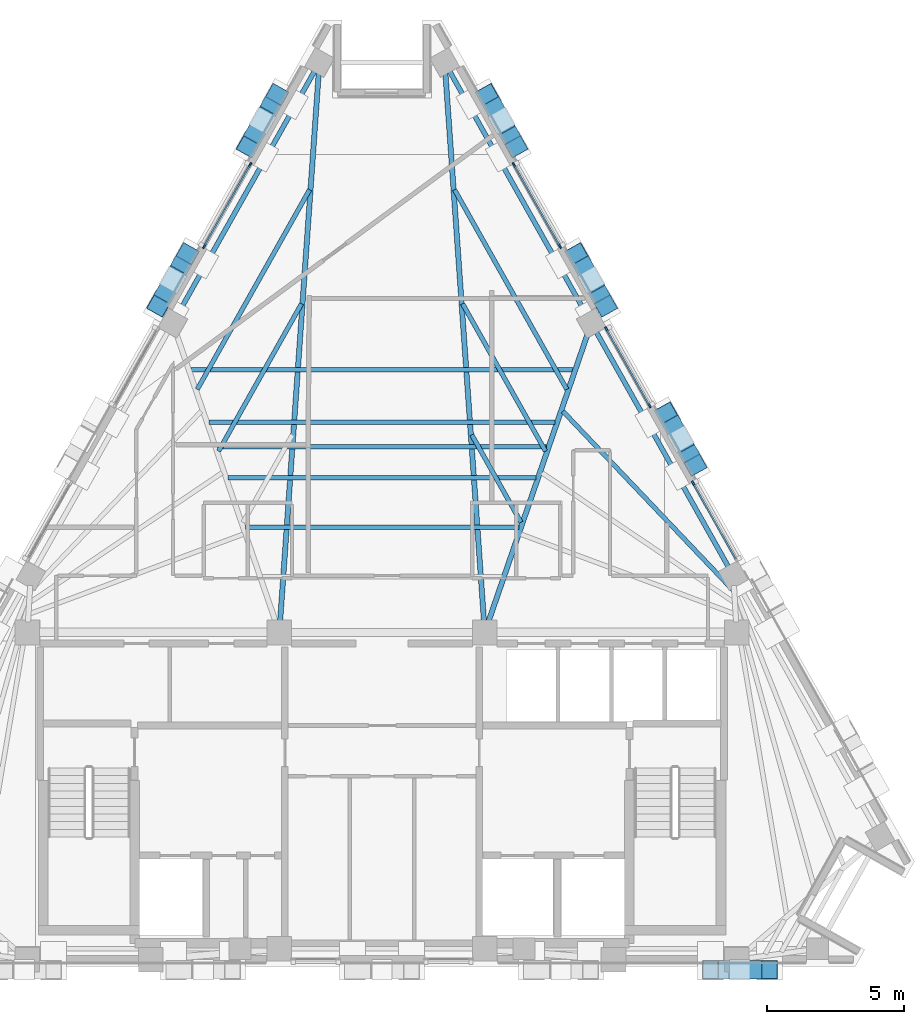
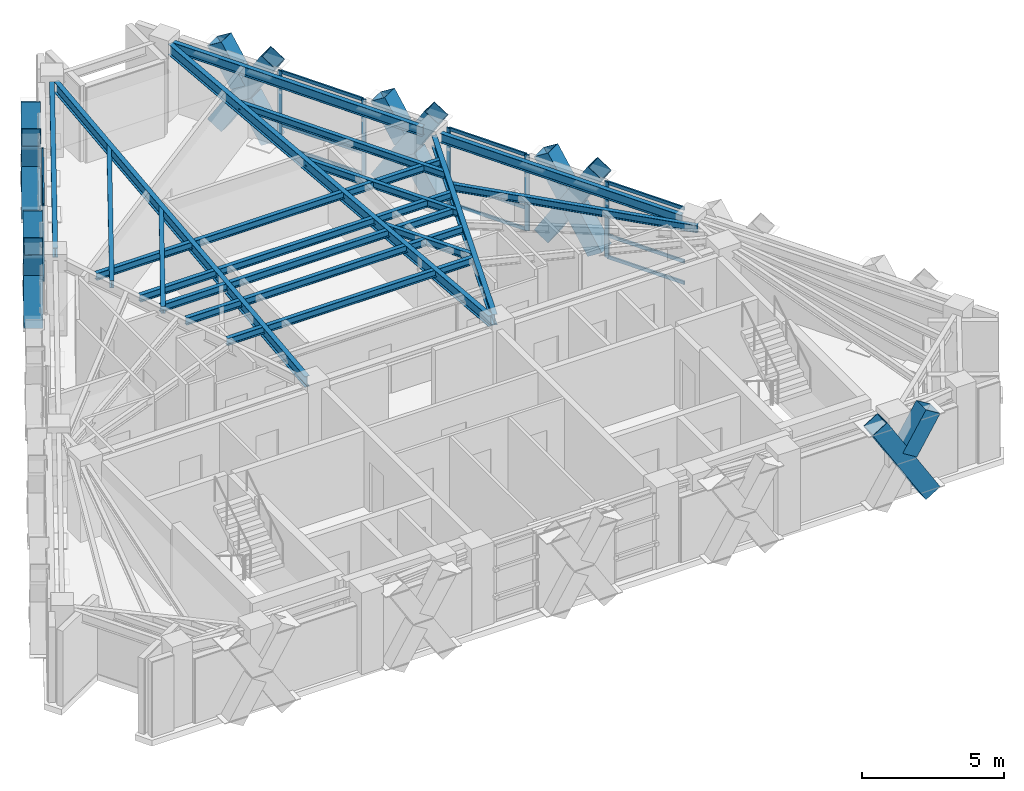
# One storey, part 4 of 11: 36 members, 17 beams, 4 elements without a shape of their own.
"""IFC4 building model written with IfcOpenShell, lengths in metres."""

from ifc_helpers import new_model, si_unit, direction, frame, origin, origin_2d, place, context, subcontext, project, spatial, rectangle, hollow_rectangle, i_section, extrude, material, material_profile, profile_set, type_object, element, aggregate, save


model = new_model("IFC4")

# Units and contexts
model_context = context("Model", 3, precision=1e-05, world=origin(), true_north=direction((0.0, 1.0)))
body_context = subcontext(model_context, "Body", "Model", "MODEL_VIEW")
ifc_project = project(units=[si_unit("LENGTHUNIT", "METRE"), si_unit("AREAUNIT", "SQUARE_METRE"), si_unit("VOLUMEUNIT", "CUBIC_METRE"), si_unit("PLANEANGLEUNIT", "RADIAN"), si_unit("MASSUNIT", "GRAM", prefix="KILO")], contexts=[model_context])

# Site, building, storey
site_placement = place(None, origin())
site = spatial("IfcSite", under=ifc_project, at=site_placement, CompositionType="ELEMENT")
building_placement = place(site_placement, origin())
building = spatial("IfcBuilding", under=site, at=building_placement, Name="Quenlor Broadcast Tower", CompositionType="ELEMENT")
storey_placement = place(building_placement, frame((0.0, 0.0, 242.89990234375)))
storey = spatial("IfcBuildingStorey", under=building, at=storey_placement, Name="L67", CompositionType="ELEMENT", Elevation=242.89990234375)

# Curtain wall, members
ifc_material_1 = material(Name="Architectural Terracotta and Low-E Glazing", Category="masonry")
curtain_wall_type = type_object("IfcCurtainWallType", Name="Unitised Terracotta Curtain Wall System Z5", PredefinedType="NOTDEFINED", material=ifc_material_1)
curtain_wall_1_placement = place(storey_placement, origin())
curtain_wall_1 = element("IfcCurtainWall", 1, at=curtain_wall_1_placement, inside=storey, type_object=curtain_wall_type, Name="L67 Curtain Wall CW5 (L67-NEA-G1)", PredefinedType="NOTDEFINED")
ifc_material_2 = material(Name="Aluminium 6063-T6", Category="aluminium")
ifc_material_profile_1 = material_profile(ifc_material_2, rectangle(XDim=0.06494140625, YDim=0.169921875, at=origin_2d()))
ifc_profile_set_1 = profile_set([ifc_material_profile_1], Name="Aluminium 6063-T6 MULL65x170")
member_type_1 = type_object("IfcMemberType", Name="CW5 Aluminium Mullion MULL_CW5", PredefinedType="MULLION", material=ifc_profile_set_1)
member_1_placement = place(storey_placement, frame((4.81787109375, 12.274169921875, 0.0), z_axis=(0.0, 0.0, 1.0), x_axis=(0.871581670563, 0.490250335582, 0.0)))
member_1 = element("IfcMember", 2, at=member_1_placement, type_object=member_type_1, Name="CW5 mullion 1", PredefinedType="MULLION", context=body_context, shape_type="SweptSolid", body=[
    extrude(rectangle(XDim=0.06494140625, YDim=0.169921875, at=origin_2d()), origin(), (0.0, 0.0, 1.0), 3.25),
])
member_2_placement = place(storey_placement, frame((6.49365234375, 9.294677734375, 0.0), z_axis=(0.0, 0.0, 1.0), x_axis=(0.871581670563, 0.490250335582, 0.0)))
member_2 = element("IfcMember", 3, at=member_2_placement, type_object=member_type_1, Name="CW5 mullion 2", PredefinedType="MULLION", context=body_context, shape_type="SweptSolid", body=[
    extrude(rectangle(XDim=0.06494140625, YDim=0.169921875, at=origin_2d()), origin(), (0.0, 0.0, 1.0), 3.25),
])

curtain_wall_2_placement = place(storey_placement, origin())
curtain_wall_2 = element("IfcCurtainWall", 4, at=curtain_wall_2_placement, inside=storey, type_object=curtain_wall_type, Name="L67 Curtain Wall CW5 (L67-NE-G1)", PredefinedType="NOTDEFINED")
member_3_placement = place(storey_placement, frame((8.190185546875, 6.27880859375, 0.0), z_axis=(0.0, 0.0, 1.0), x_axis=(0.871574721405, 0.490262689797, 0.0)))
member_3 = element("IfcMember", 5, at=member_3_placement, type_object=member_type_1, Name="CW5 mullion 1", PredefinedType="MULLION", context=body_context, shape_type="SweptSolid", body=[
    extrude(rectangle(XDim=0.06494140625, YDim=0.169921875, at=origin_2d()), origin(), (0.0, 0.0, 1.0), 3.25),
])
member_4_placement = place(storey_placement, frame((9.763427734375, 3.48193359375, 0.0), z_axis=(0.0, 0.0, 1.0), x_axis=(0.871574721405, 0.490262689797, 0.0)))
member_4 = element("IfcMember", 6, at=member_4_placement, type_object=member_type_1, Name="CW5 mullion 2", PredefinedType="MULLION", context=body_context, shape_type="SweptSolid", body=[
    extrude(rectangle(XDim=0.06494140625, YDim=0.169921875, at=origin_2d()), origin(), (0.0, 0.0, 1.0), 3.25),
])

# Curtain wall, member
curtain_wall_3_placement = place(storey_placement, origin())
curtain_wall_3 = element("IfcCurtainWall", 7, at=curtain_wall_3_placement, inside=storey, type_object=curtain_wall_type, Name="L67 Curtain Wall CW5 (L67-NE-G2)", PredefinedType="NOTDEFINED")
member_5_placement = place(storey_placement, frame((11.357177734375, 0.6484375, 0.0), z_axis=(0.0, 0.0, 1.0), x_axis=(0.871574721405, 0.490262689797, 0.0)))
member_5 = element("IfcMember", 8, at=member_5_placement, type_object=member_type_1, Name="CW5 mullion 1", PredefinedType="MULLION", context=body_context, shape_type="SweptSolid", body=[
    extrude(rectangle(XDim=0.06494140625, YDim=0.169921875, at=origin_2d()), origin(), (0.0, 0.0, 1.0), 3.25),
])

# Curtain wall, members
curtain_wall_4_placement = place(storey_placement, origin())
curtain_wall_4 = element("IfcCurtainWall", 9, at=curtain_wall_4_placement, inside=storey, type_object=curtain_wall_type, Name="L67 Curtain Wall CW5 (L67-NWC-G1)", PredefinedType="NOTDEFINED")
member_6_placement = place(storey_placement, frame((-6.49365234375, 9.294677734375, 0.0), z_axis=(0.0, 0.0, 1.0), x_axis=(-0.871581670563, 0.490250335582, 0.0)))
member_6 = element("IfcMember", 10, at=member_6_placement, type_object=member_type_1, Name="CW5 mullion 1", PredefinedType="MULLION", context=body_context, shape_type="SweptSolid", body=[
    extrude(rectangle(XDim=0.06494140625, YDim=0.169921875, at=origin_2d()), origin(), (0.0, 0.0, 1.0), 3.25),
])
member_7_placement = place(storey_placement, frame((-4.81787109375, 12.274169921875, 0.0), z_axis=(0.0, 0.0, 1.0), x_axis=(-0.871581670563, 0.490250335582, 0.0)))
member_7 = element("IfcMember", 11, at=member_7_placement, type_object=member_type_1, Name="CW5 mullion 2", PredefinedType="MULLION", context=body_context, shape_type="SweptSolid", body=[
    extrude(rectangle(XDim=0.06494140625, YDim=0.169921875, at=origin_2d()), origin(), (0.0, 0.0, 1.0), 3.25),
])

# Member
ifc_material_3 = material(Name="Aluminium 6063-T6", Category="aluminium")
ifc_material_profile_2 = material_profile(ifc_material_3, rectangle(XDim=0.06494140625, YDim=0.139892578125, at=origin_2d()))
ifc_profile_set_2 = profile_set([ifc_material_profile_2], Name="Aluminium 6063-T6 TRAN65x140")
member_type_2 = type_object("IfcMemberType", Name="CW5 Aluminium Transom TRAN_CW5", PredefinedType="USERDEFINED", material=ifc_profile_set_2)
member_8_placement = place(storey_placement, frame((4.833740234375, 12.245849609375, 0.03271484375), z_axis=(0.490247413707, -0.871583314063, 0.0), x_axis=(0.871583314063, 0.490247413707, 0.0)))
member_8 = element("IfcMember", 12, at=member_8_placement, type_object=member_type_2, Name="CW5 transom 1.1", ObjectType="TRANSOM", PredefinedType="USERDEFINED", context=body_context, shape_type="SweptSolid", body=[
    extrude(rectangle(XDim=0.06494140625, YDim=0.139892578125, at=origin_2d()), origin(), (0.0, 0.0, 1.0), 3.353515625),
])

member_9_placement = place(storey_placement, frame((4.833740234375, 12.245849609375, 0.9501953125), z_axis=(0.490247413707, -0.871583314063, 0.0), x_axis=(0.871583314063, 0.490247413707, 0.0)))
member_9 = element("IfcMember", 13, at=member_9_placement, type_object=member_type_2, Name="CW5 transom 1.2", ObjectType="TRANSOM", PredefinedType="USERDEFINED", context=body_context, shape_type="SweptSolid", body=[
    extrude(rectangle(XDim=0.06494140625, YDim=0.139892578125, at=origin_2d()), origin(), (0.0, 0.0, 1.0), 3.353515625),
])

member_10_placement = place(storey_placement, frame((4.833740234375, 12.245849609375, 3.217529296875), z_axis=(0.490247413707, -0.871583314063, 0.0), x_axis=(0.871583314063, 0.490247413707, 0.0)))
member_10 = element("IfcMember", 14, at=member_10_placement, type_object=member_type_2, Name="CW5 transom 1.3", ObjectType="TRANSOM", PredefinedType="USERDEFINED", context=body_context, shape_type="SweptSolid", body=[
    extrude(rectangle(XDim=0.06494140625, YDim=0.139892578125, at=origin_2d()), origin(), (0.0, 0.0, 1.0), 3.353515625),
])

aggregate(curtain_wall_1, [member_1, member_2, member_8, member_9, member_10])

member_11_placement = place(storey_placement, frame((8.2060546875, 6.25048828125, 0.03271484375), z_axis=(0.490231744535, -0.87159212746, 0.0), x_axis=(0.87159212746, 0.490231744535, 0.0)))
member_11 = element("IfcMember", 15, at=member_11_placement, type_object=member_type_2, Name="CW5 transom 1.1", ObjectType="TRANSOM", PredefinedType="USERDEFINED", context=body_context, shape_type="SweptSolid", body=[
    extrude(rectangle(XDim=0.06494140625, YDim=0.139892578125, at=origin_2d()), origin(), (0.0, 0.0, 1.0), 3.14404296875),
])

member_12_placement = place(storey_placement, frame((8.2060546875, 6.25048828125, 0.9501953125), z_axis=(0.490231744535, -0.87159212746, 0.0), x_axis=(0.87159212746, 0.490231744535, 0.0)))
member_12 = element("IfcMember", 16, at=member_12_placement, type_object=member_type_2, Name="CW5 transom 1.2", ObjectType="TRANSOM", PredefinedType="USERDEFINED", context=body_context, shape_type="SweptSolid", body=[
    extrude(rectangle(XDim=0.06494140625, YDim=0.139892578125, at=origin_2d()), origin(), (0.0, 0.0, 1.0), 3.14404296875),
])

member_13_placement = place(storey_placement, frame((8.2060546875, 6.25048828125, 3.217529296875), z_axis=(0.490231744535, -0.87159212746, 0.0), x_axis=(0.87159212746, 0.490231744535, 0.0)))
member_13 = element("IfcMember", 17, at=member_13_placement, type_object=member_type_2, Name="CW5 transom 1.3", ObjectType="TRANSOM", PredefinedType="USERDEFINED", context=body_context, shape_type="SweptSolid", body=[
    extrude(rectangle(XDim=0.06494140625, YDim=0.139892578125, at=origin_2d()), origin(), (0.0, 0.0, 1.0), 3.14404296875),
])

aggregate(curtain_wall_2, [member_3, member_4, member_11, member_12, member_13])

member_14_placement = place(storey_placement, frame((11.373046875, 0.6201171875, 0.03271484375), z_axis=(0.490290733046, -0.871558946422, 0.0), x_axis=(0.871558946422, 0.490290733046, 0.0)))
member_14 = element("IfcMember", 18, at=member_14_placement, type_object=member_type_2, Name="CW5 transom 1.1", ObjectType="TRANSOM", PredefinedType="USERDEFINED", context=body_context, shape_type="SweptSolid", body=[
    extrude(rectangle(XDim=0.06494140625, YDim=0.139892578125, at=origin_2d()), origin(), (0.0, 0.0, 1.0), 3.14404296875),
])

member_15_placement = place(storey_placement, frame((11.373046875, 0.6201171875, 0.9501953125), z_axis=(0.490290733046, -0.871558946422, 0.0), x_axis=(0.871558946422, 0.490290733046, 0.0)))
member_15 = element("IfcMember", 19, at=member_15_placement, type_object=member_type_2, Name="CW5 transom 1.2", ObjectType="TRANSOM", PredefinedType="USERDEFINED", context=body_context, shape_type="SweptSolid", body=[
    extrude(rectangle(XDim=0.06494140625, YDim=0.139892578125, at=origin_2d()), origin(), (0.0, 0.0, 1.0), 3.14404296875),
])

member_16_placement = place(storey_placement, frame((11.373046875, 0.6201171875, 3.217529296875), z_axis=(0.490290733046, -0.871558946422, 0.0), x_axis=(0.871558946422, 0.490290733046, 0.0)))
member_16 = element("IfcMember", 20, at=member_16_placement, type_object=member_type_2, Name="CW5 transom 1.3", ObjectType="TRANSOM", PredefinedType="USERDEFINED", context=body_context, shape_type="SweptSolid", body=[
    extrude(rectangle(XDim=0.06494140625, YDim=0.139892578125, at=origin_2d()), origin(), (0.0, 0.0, 1.0), 3.14404296875),
])

aggregate(curtain_wall_3, [member_5, member_14, member_15, member_16])

member_17_placement = place(storey_placement, frame((-6.477783203125, 9.322998046875, 0.03271484375), z_axis=(0.490247413707, 0.871583314063, 0.0), x_axis=(-0.871583314063, 0.490247413707, 0.0)))
member_17 = element("IfcMember", 21, at=member_17_placement, type_object=member_type_2, Name="CW5 transom 1.1", ObjectType="TRANSOM", PredefinedType="USERDEFINED", context=body_context, shape_type="SweptSolid", body=[
    extrude(rectangle(XDim=0.06494140625, YDim=0.139892578125, at=origin_2d()), origin(), (0.0, 0.0, 1.0), 3.353515625),
])

member_18_placement = place(storey_placement, frame((-6.477783203125, 9.322998046875, 0.9501953125), z_axis=(0.490247413707, 0.871583314063, 0.0), x_axis=(-0.871583314063, 0.490247413707, 0.0)))
member_18 = element("IfcMember", 22, at=member_18_placement, type_object=member_type_2, Name="CW5 transom 1.2", ObjectType="TRANSOM", PredefinedType="USERDEFINED", context=body_context, shape_type="SweptSolid", body=[
    extrude(rectangle(XDim=0.06494140625, YDim=0.139892578125, at=origin_2d()), origin(), (0.0, 0.0, 1.0), 3.353515625),
])

member_19_placement = place(storey_placement, frame((-6.477783203125, 9.322998046875, 3.217529296875), z_axis=(0.490247413707, 0.871583314063, 0.0), x_axis=(-0.871583314063, 0.490247413707, 0.0)))
member_19 = element("IfcMember", 23, at=member_19_placement, type_object=member_type_2, Name="CW5 transom 1.3", ObjectType="TRANSOM", PredefinedType="USERDEFINED", context=body_context, shape_type="SweptSolid", body=[
    extrude(rectangle(XDim=0.06494140625, YDim=0.139892578125, at=origin_2d()), origin(), (0.0, 0.0, 1.0), 3.353515625),
])

aggregate(curtain_wall_4, [member_6, member_7, member_17, member_18, member_19])

# Members
ifc_material_4 = material(Name="Steel S355", Category="steel")
ifc_material_profile_3 = material_profile(ifc_material_4, hollow_rectangle(XDim=0.679931640625, YDim=0.679931640625, WallThickness=0.02001953125, at=origin_2d()))
ifc_profile_set_3 = profile_set([ifc_material_profile_3], Name="Steel S355 RHS680x680x20")
member_type_3 = type_object("IfcMemberType", Name="Perimeter Diagonal Lattice Brace Z5-Crown Steel S355 RHS680x20", PredefinedType="BRACE", material=ifc_profile_set_3)
member_20_placement = place(storey_placement, frame((14.1396484375, -17.1201171875, -0.119873046875), z_axis=(-0.5236596973, 0.0, 0.851927532965), x_axis=(0.0, -1.0, 0.0)))
element("IfcMember", 24, at=member_20_placement, inside=storey, type_object=member_type_3, Name="L67 Perimeter Diamond Lattice S-C1XA", PredefinedType="BRACE", context=body_context, shape_type="SweptSolid", body=[
    extrude(hollow_rectangle(XDim=0.679931640625, YDim=0.679931640625, WallThickness=0.02001953125, at=origin_2d()), origin(), (0.0, 0.0, 1.0), 4.1083984375),
])
member_21_placement = place(storey_placement, frame((13.19482421875, -17.1201171875, 1.843017578125), z_axis=(0.523659478087, 0.0, 0.85192766771), x_axis=(0.0, 1.0, 0.0)))
element("IfcMember", 25, at=member_21_placement, inside=storey, type_object=member_type_3, Name="L67 Perimeter Diamond Lattice S-C1XB2", PredefinedType="BRACE", context=body_context, shape_type="SweptSolid", body=[
    extrude(hollow_rectangle(XDim=0.679931640625, YDim=0.679931640625, WallThickness=0.02001953125, at=origin_2d()), origin(), (0.0, 0.0, 1.0), 1.80419921875),
])
member_22_placement = place(storey_placement, frame((3.826904296875, 14.841552734375, -0.119873046875), z_axis=(0.260563732169, -0.463283497491, 0.847038926161), x_axis=(0.871602253711, 0.49021374045, 0.0)))
element("IfcMember", 26, at=member_22_placement, inside=storey, type_object=member_type_3, Name="L67 Perimeter Diamond Lattice NE-C1XA", PredefinedType="BRACE", context=body_context, shape_type="SweptSolid", body=[
    extrude(hollow_rectangle(XDim=0.679931640625, YDim=0.679931640625, WallThickness=0.02001953125, at=origin_2d()), origin(), (0.0, 0.0, 1.0), 4.132080078125),
])
member_23_placement = place(storey_placement, frame((4.903564453125, 12.92724609375, -0.119873046875), z_axis=(-0.260561174869, 0.463309498762, 0.847025491062), x_axis=(-0.871616063886, -0.490189185087, 0.0)))
element("IfcMember", 27, at=member_23_placement, inside=storey, type_object=member_type_3, Name="L67 Perimeter Diamond Lattice NE-C1XB1", PredefinedType="BRACE", context=body_context, shape_type="SweptSolid", body=[
    extrude(hollow_rectangle(XDim=0.679931640625, YDim=0.679931640625, WallThickness=0.02001953125, at=origin_2d()), origin(), (0.0, 0.0, 1.0), 1.81591796875),
])
member_24_placement = place(storey_placement, frame((4.300048828125, 14.000244140625, 1.841796875), z_axis=(-0.260531504538, 0.463256741299, 0.847063472701), x_axis=(-0.871616063886, -0.490189185087, 0.0)))
element("IfcMember", 28, at=member_24_placement, inside=storey, type_object=member_type_3, Name="L67 Perimeter Diamond Lattice NE-C1XB2", PredefinedType="BRACE", context=body_context, shape_type="SweptSolid", body=[
    extrude(hollow_rectangle(XDim=0.679931640625, YDim=0.679931640625, WallThickness=0.02001953125, at=origin_2d()), origin(), (0.0, 0.0, 1.0), 1.816162109375),
])
member_25_placement = place(storey_placement, frame((7.096435546875, 9.02880859375, -0.119873046875), z_axis=(0.260618804175, -0.463276364439, 0.847025884529), x_axis=(0.8715547569, 0.490298180422, 0.0)))
element("IfcMember", 29, at=member_25_placement, inside=storey, type_object=member_type_3, Name="L67 Perimeter Diamond Lattice NE-C2XA", PredefinedType="BRACE", context=body_context, shape_type="SweptSolid", body=[
    extrude(hollow_rectangle(XDim=0.679931640625, YDim=0.679931640625, WallThickness=0.02001953125, at=origin_2d()), origin(), (0.0, 0.0, 1.0), 4.132080078125),
])
member_26_placement = place(storey_placement, frame((8.17333984375, 7.114501953125, -0.119873046875), z_axis=(-0.26068648878, 0.463293264743, 0.846995811921), x_axis=(-0.871507987664, -0.490381308207, 0.0)))
element("IfcMember", 30, at=member_26_placement, inside=storey, type_object=member_type_3, Name="L67 Perimeter Diamond Lattice NE-C2XB1", PredefinedType="BRACE", context=body_context, shape_type="SweptSolid", body=[
    extrude(hollow_rectangle(XDim=0.679931640625, YDim=0.679931640625, WallThickness=0.02001953125, at=origin_2d()), origin(), (0.0, 0.0, 1.0), 1.81591796875),
])
member_27_placement = place(storey_placement, frame((7.56982421875, 8.1875, 1.841796875), z_axis=(-0.260656806259, 0.463240512825, 0.847033798988), x_axis=(-0.871507987664, -0.490381308207, 0.0)))
element("IfcMember", 31, at=member_27_placement, inside=storey, type_object=member_type_3, Name="L67 Perimeter Diamond Lattice NE-C2XB2", PredefinedType="BRACE", context=body_context, shape_type="SweptSolid", body=[
    extrude(hollow_rectangle(XDim=0.679931640625, YDim=0.679931640625, WallThickness=0.02001953125, at=origin_2d()), origin(), (0.0, 0.0, 1.0), 1.816162109375),
])
member_28_placement = place(storey_placement, frame((10.3662109375, 3.216064453125, -0.119873046875), z_axis=(0.260618804175, -0.463276364439, 0.847025884529), x_axis=(0.8715547569, 0.490298180422, 0.0)))
element("IfcMember", 32, at=member_28_placement, inside=storey, type_object=member_type_3, Name="L67 Perimeter Diamond Lattice NE-C3XA", PredefinedType="BRACE", context=body_context, shape_type="SweptSolid", body=[
    extrude(hollow_rectangle(XDim=0.679931640625, YDim=0.679931640625, WallThickness=0.02001953125, at=origin_2d()), origin(), (0.0, 0.0, 1.0), 4.132080078125),
])
member_29_placement = place(storey_placement, frame((11.443115234375, 1.3017578125, -0.119873046875), z_axis=(-0.26068648878, 0.463293264743, 0.846995811921), x_axis=(-0.871507987664, -0.490381308207, 0.0)))
element("IfcMember", 33, at=member_29_placement, inside=storey, type_object=member_type_3, Name="L67 Perimeter Diamond Lattice NE-C3XB1", PredefinedType="BRACE", context=body_context, shape_type="SweptSolid", body=[
    extrude(hollow_rectangle(XDim=0.679931640625, YDim=0.679931640625, WallThickness=0.02001953125, at=origin_2d()), origin(), (0.0, 0.0, 1.0), 1.81591796875),
])
member_30_placement = place(storey_placement, frame((10.839599609375, 2.374755859375, 1.841796875), z_axis=(-0.260656806259, 0.463240512825, 0.847033798988), x_axis=(-0.871507987664, -0.490381308207, 0.0)))
element("IfcMember", 34, at=member_30_placement, inside=storey, type_object=member_type_3, Name="L67 Perimeter Diamond Lattice NE-C3XB2", PredefinedType="BRACE", context=body_context, shape_type="SweptSolid", body=[
    extrude(hollow_rectangle(XDim=0.679931640625, YDim=0.679931640625, WallThickness=0.02001953125, at=origin_2d()), origin(), (0.0, 0.0, 1.0), 1.816162109375),
])
member_31_placement = place(storey_placement, frame((-8.17333984375, 7.114501953125, -0.119873046875), z_axis=(0.260618804175, 0.463276364439, 0.847025884529), x_axis=(-0.8715547569, 0.490298180422, 0.0)))
element("IfcMember", 35, at=member_31_placement, inside=storey, type_object=member_type_3, Name="L67 Perimeter Diamond Lattice NW-C4XA", PredefinedType="BRACE", context=body_context, shape_type="SweptSolid", body=[
    extrude(hollow_rectangle(XDim=0.679931640625, YDim=0.679931640625, WallThickness=0.02001953125, at=origin_2d()), origin(), (0.0, 0.0, 1.0), 4.132080078125),
])
member_32_placement = place(storey_placement, frame((-7.096435546875, 9.02880859375, -0.119873046875), z_axis=(-0.26068648878, -0.463293264743, 0.846995811921), x_axis=(0.871507987664, -0.490381308207, 0.0)))
element("IfcMember", 36, at=member_32_placement, inside=storey, type_object=member_type_3, Name="L67 Perimeter Diamond Lattice NW-C4XB1", PredefinedType="BRACE", context=body_context, shape_type="SweptSolid", body=[
    extrude(hollow_rectangle(XDim=0.679931640625, YDim=0.679931640625, WallThickness=0.02001953125, at=origin_2d()), origin(), (0.0, 0.0, 1.0), 1.81591796875),
])
member_33_placement = place(storey_placement, frame((-7.699951171875, 7.955810546875, 1.841796875), z_axis=(-0.260656806259, -0.463240512825, 0.847033798988), x_axis=(0.871507987664, -0.490381308207, 0.0)))
element("IfcMember", 37, at=member_33_placement, inside=storey, type_object=member_type_3, Name="L67 Perimeter Diamond Lattice NW-C4XB2", PredefinedType="BRACE", context=body_context, shape_type="SweptSolid", body=[
    extrude(hollow_rectangle(XDim=0.679931640625, YDim=0.679931640625, WallThickness=0.02001953125, at=origin_2d()), origin(), (0.0, 0.0, 1.0), 1.816162109375),
])
member_34_placement = place(storey_placement, frame((-4.903564453125, 12.92724609375, -0.119873046875), z_axis=(0.260563732169, 0.463283497491, 0.847038926161), x_axis=(-0.871602253711, 0.49021374045, 0.0)))
element("IfcMember", 38, at=member_34_placement, inside=storey, type_object=member_type_3, Name="L67 Perimeter Diamond Lattice NW-C5XA", PredefinedType="BRACE", context=body_context, shape_type="SweptSolid", body=[
    extrude(hollow_rectangle(XDim=0.679931640625, YDim=0.679931640625, WallThickness=0.02001953125, at=origin_2d()), origin(), (0.0, 0.0, 1.0), 4.132080078125),
])
member_35_placement = place(storey_placement, frame((-3.826904296875, 14.841552734375, -0.119873046875), z_axis=(-0.260561174869, -0.463309498762, 0.847025491062), x_axis=(0.871616063886, -0.490189185087, 0.0)))
element("IfcMember", 39, at=member_35_placement, inside=storey, type_object=member_type_3, Name="L67 Perimeter Diamond Lattice NW-C5XB1", PredefinedType="BRACE", context=body_context, shape_type="SweptSolid", body=[
    extrude(hollow_rectangle(XDim=0.679931640625, YDim=0.679931640625, WallThickness=0.02001953125, at=origin_2d()), origin(), (0.0, 0.0, 1.0), 1.81591796875),
])
member_36_placement = place(storey_placement, frame((-4.430419921875, 13.7685546875, 1.841796875), z_axis=(-0.260531504538, -0.463256741299, 0.847063472701), x_axis=(0.871616063886, -0.490189185087, 0.0)))
element("IfcMember", 40, at=member_36_placement, inside=storey, type_object=member_type_3, Name="L67 Perimeter Diamond Lattice NW-C5XB2", PredefinedType="BRACE", context=body_context, shape_type="SweptSolid", body=[
    extrude(hollow_rectangle(XDim=0.679931640625, YDim=0.679931640625, WallThickness=0.02001953125, at=origin_2d()), origin(), (0.0, 0.0, 1.0), 1.816162109375),
])

# Beams
ifc_material_5 = material(Name="Steel S355", Category="steel")
ifc_material_profile_4 = material_profile(ifc_material_5, i_section(OverallWidth=0.177978515625, OverallDepth=0.406494140625, WebThickness=0.0078125, FlangeThickness=0.0126953125, FilletRadius=0.011474609375, at=origin_2d()))
ifc_profile_set_4 = profile_set([ifc_material_profile_4], Name="Steel S355 410UB59.7")
beam_type_1 = type_object("IfcBeamType", Name="Perimeter Spandrel Beam Z5 Steel S355 410UB59.7", PredefinedType="SPANDREL", material=ifc_profile_set_4)
beam_1_placement = place(storey_placement, frame((12.64892578125, -2.412841796875, 3.046875), z_axis=(-0.49024947634, 0.871582153872, 0.0), x_axis=(-0.871582153872, -0.49024947634, 0.0)))
element("IfcBeam", 41, at=beam_1_placement, inside=storey, type_object=beam_type_1, Name="L67 Spandrel Beam NE2-NE3", PredefinedType="SPANDREL", context=body_context, shape_type="SweptSolid", body=[
    extrude(i_section(OverallWidth=0.177978515625, OverallDepth=0.406494140625, WebThickness=0.0078125, FlangeThickness=0.0126953125, FilletRadius=0.011474609375, at=origin_2d()), origin(), (0.0, 0.0, 1.0), 9.853759765625),
])
for number, where, z_axis, x_axis, name in (
    (42, (7.465087890625, 6.802978515625, 3.046875), (-0.490264646634, 0.871573620677, 0.0), (-0.871573620677, -0.490264646634, 0.0), "L67 Spandrel Beam NE3-NE4"),
    (43, (-2.461181640625, 15.69873046875, 3.046875), (-0.490264646634, -0.871573620677, 0.0), (0.871573620677, -0.490264646634, 0.0), "L67 Spandrel Beam NW1-NW2"),
):
    element("IfcBeam", number, at=place(storey_placement, frame(where, z_axis=z_axis, x_axis=x_axis)), inside=storey, type_object=beam_type_1, Name=name, PredefinedType="SPANDREL", context=body_context, shape_type="SweptSolid", body=[
        extrude(i_section(OverallWidth=0.177978515625, OverallDepth=0.406494140625, WebThickness=0.0078125, FlangeThickness=0.0126953125, FilletRadius=0.011474609375, at=origin_2d()), origin(), (0.0, 0.0, 1.0), 10.20654296875),
    ])
ifc_material_6 = material(Name="Steel S355", Category="steel")
ifc_material_profile_5 = material_profile(ifc_material_6, i_section(OverallWidth=0.166015625, OverallDepth=0.30712890625, WebThickness=0.006591796875, FlangeThickness=0.01171875, FilletRadius=0.011474609375, at=origin_2d()))
ifc_profile_set_5 = profile_set([ifc_material_profile_5], Name="Steel S355 310UB46.2")
beam_type_2 = type_object("IfcBeamType", Name="Tower Composite Joist Z4-Z5 Steel S355 310UB46.2", PredefinedType="JOIST", material=ifc_profile_set_5)
beam_2_placement = place(storey_placement, frame((-6.0048828125, 1.9736328125, 3.096435546875), z_axis=(1.0, 0.0, 0.0), x_axis=(0.0, 1.0, 0.0)))
element("IfcBeam", 44, at=beam_2_placement, inside=storey, type_object=beam_type_2, Name="L67 Secondary Composite Joist 2", PredefinedType="JOIST", context=body_context, shape_type="SweptSolid", body=[
    extrude(i_section(OverallWidth=0.166015625, OverallDepth=0.30712890625, WebThickness=0.006591796875, FlangeThickness=0.01171875, FilletRadius=0.011474609375, at=origin_2d()), origin(), (0.0, 0.0, 1.0), 12.009765625),
])
beam_3_placement = place(storey_placement, frame((-4.9931640625, -0.961669921875, 3.096435546875), z_axis=(1.0, 0.0, 0.0), x_axis=(0.0, 1.0, 0.0)))
element("IfcBeam", 45, at=beam_3_placement, inside=storey, type_object=beam_type_2, Name="L67 Secondary Composite Joist 3", PredefinedType="JOIST", context=body_context, shape_type="SweptSolid", body=[
    extrude(i_section(OverallWidth=0.166015625, OverallDepth=0.30712890625, WebThickness=0.006591796875, FlangeThickness=0.01171875, FilletRadius=0.011474609375, at=origin_2d()), origin(), (0.0, 0.0, 1.0), 9.986328125),
])
beam_4_placement = place(storey_placement, frame((-5.61572265625, 0.8447265625, 3.096435546875), z_axis=(1.0, 0.0, 0.0), x_axis=(0.0, 1.0, 0.0)))
element("IfcBeam", 46, at=beam_4_placement, inside=storey, type_object=beam_type_2, Name="L67 Secondary Composite Joist 4", PredefinedType="JOIST", context=body_context, shape_type="SweptSolid", body=[
    extrude(i_section(OverallWidth=0.166015625, OverallDepth=0.30712890625, WebThickness=0.006591796875, FlangeThickness=0.01171875, FilletRadius=0.011474609375, at=origin_2d()), origin(), (0.0, 0.0, 1.0), 11.2314453125),
])
beam_5_placement = place(storey_placement, frame((-6.316162109375, 2.876708984375, 3.096435546875), z_axis=(1.0, 0.0, 0.0), x_axis=(0.0, 1.0, 0.0)))
element("IfcBeam", 47, at=beam_5_placement, inside=storey, type_object=beam_type_2, Name="L67 Secondary Composite Joist 5", PredefinedType="JOIST", context=body_context, shape_type="SweptSolid", body=[
    extrude(i_section(OverallWidth=0.166015625, OverallDepth=0.30712890625, WebThickness=0.006591796875, FlangeThickness=0.01171875, FilletRadius=0.011474609375, at=origin_2d()), origin(), (0.0, 0.0, 1.0), 12.63232421875),
])
beam_6_placement = place(storey_placement, frame((-6.977783203125, 4.7958984375, 3.096435546875), z_axis=(1.0, 0.0, 0.0), x_axis=(0.0, 1.0, 0.0)))
element("IfcBeam", 48, at=beam_6_placement, inside=storey, type_object=beam_type_2, Name="L67 Secondary Composite Joist 6", PredefinedType="JOIST", context=body_context, shape_type="SweptSolid", body=[
    extrude(i_section(OverallWidth=0.166015625, OverallDepth=0.30712890625, WebThickness=0.006591796875, FlangeThickness=0.01171875, FilletRadius=0.011474609375, at=origin_2d()), origin(), (0.0, 0.0, 1.0), 13.95556640625),
])
beam_7_placement = place(storey_placement, frame((12.80517578125, -3.249267578125, 3.096435546875), z_axis=(-0.689023306429, 0.724739182877, 0.0), x_axis=(-0.724739182877, -0.689023306429, 0.0)))
element("IfcBeam", 49, at=beam_7_placement, inside=storey, type_object=beam_type_2, Name="L67 Secondary Composite Joist 12", PredefinedType="JOIST", context=body_context, shape_type="SweptSolid", body=[
    extrude(i_section(OverallWidth=0.166015625, OverallDepth=0.30712890625, WebThickness=0.006591796875, FlangeThickness=0.01171875, FilletRadius=0.011474609375, at=origin_2d()), origin(), (0.0, 0.0, 1.0), 8.99560546875),
])
beam_8_placement = place(storey_placement, frame((-2.939208984375, 7.201416015625, 3.096435546875), z_axis=(-0.490266868828, -0.871572370678, 0.0), x_axis=(0.871572370678, -0.490266868828, 0.0)))
element("IfcBeam", 50, at=beam_8_placement, inside=storey, type_object=beam_type_2, Name="L67 Secondary Composite Joist 26", PredefinedType="JOIST", context=body_context, shape_type="SweptSolid", body=[
    extrude(i_section(OverallWidth=0.166015625, OverallDepth=0.30712890625, WebThickness=0.006591796875, FlangeThickness=0.01171875, FilletRadius=0.011474609375, at=origin_2d()), origin(), (0.0, 0.0, 1.0), 6.177490234375),
])
beam_9_placement = place(storey_placement, frame((-2.646240234375, 11.364013671875, 3.096435546875), z_axis=(-0.490264011812, -0.871573977768, 0.0), x_axis=(0.871573977768, -0.490264011812, 0.0)))
element("IfcBeam", 51, at=beam_9_placement, inside=storey, type_object=beam_type_2, Name="L67 Secondary Composite Joist 27", PredefinedType="JOIST", context=body_context, shape_type="SweptSolid", body=[
    extrude(i_section(OverallWidth=0.166015625, OverallDepth=0.30712890625, WebThickness=0.006591796875, FlangeThickness=0.01171875, FilletRadius=0.011474609375, at=origin_2d()), origin(), (0.0, 0.0, 1.0), 8.362548828125),
])
beam_10_placement = place(storey_placement, frame((3.2763671875, 2.41455078125, 3.096435546875), z_axis=(0.490258076222, -0.871577316535, 0.0), x_axis=(0.871577316535, 0.490258076222, 0.0)))
element("IfcBeam", 52, at=beam_10_placement, inside=storey, type_object=beam_type_2, Name="L67 Secondary Composite Joist 28", PredefinedType="JOIST", context=body_context, shape_type="SweptSolid", body=[
    extrude(i_section(OverallWidth=0.166015625, OverallDepth=0.30712890625, WebThickness=0.006591796875, FlangeThickness=0.01171875, FilletRadius=0.011474609375, at=origin_2d()), origin(), (0.0, 0.0, 1.0), 3.6640625),
])
beam_11_placement = place(storey_placement, frame((2.939208984375, 7.201416015625, 3.096435546875), z_axis=(0.490266868828, -0.871572370678, 0.0), x_axis=(0.871572370678, 0.490266868828, 0.0)))
element("IfcBeam", 53, at=beam_11_placement, inside=storey, type_object=beam_type_2, Name="L67 Secondary Composite Joist 29", PredefinedType="JOIST", context=body_context, shape_type="SweptSolid", body=[
    extrude(i_section(OverallWidth=0.166015625, OverallDepth=0.30712890625, WebThickness=0.006591796875, FlangeThickness=0.01171875, FilletRadius=0.011474609375, at=origin_2d()), origin(), (0.0, 0.0, 1.0), 6.177490234375),
])
beam_12_placement = place(storey_placement, frame((2.646240234375, 11.364013671875, 3.096435546875), z_axis=(0.490264011812, -0.871573977768, 0.0), x_axis=(0.871573977768, 0.490264011812, 0.0)))
element("IfcBeam", 54, at=beam_12_placement, inside=storey, type_object=beam_type_2, Name="L67 Secondary Composite Joist 30", PredefinedType="JOIST", context=body_context, shape_type="SweptSolid", body=[
    extrude(i_section(OverallWidth=0.166015625, OverallDepth=0.30712890625, WebThickness=0.006591796875, FlangeThickness=0.01171875, FilletRadius=0.011474609375, at=origin_2d()), origin(), (0.0, 0.0, 1.0), 8.362548828125),
])
ifc_material_7 = material(Name="Steel S355", Category="steel")
ifc_material_profile_6 = material_profile(ifc_material_7, i_section(OverallWidth=0.19091796875, OverallDepth=0.46044921875, WebThickness=0.010009765625, FlangeThickness=0.01611328125, FilletRadius=0.011474609375, at=origin_2d()))
ifc_profile_set_6 = profile_set([ifc_material_profile_6], Name="Steel S355 460UB82.1")
beam_type_3 = type_object("IfcBeamType", Name="Tower Primary Floor Beam Z5 Steel S355 460UB82.1", PredefinedType="BEAM", material=ifc_profile_set_6)
beam_13_placement = place(storey_placement, frame((7.524169921875, 6.14892578125, 3.02001953125), z_axis=(-0.325895297662, -0.945405867848, 0.0), x_axis=(0.945405867848, -0.325895297662, 0.0)))
element("IfcBeam", 55, at=beam_13_placement, inside=storey, type_object=beam_type_3, Name="L67 Primary Radial Beam NE3", PredefinedType="BEAM", context=body_context, shape_type="SweptSolid", body=[
    extrude(i_section(OverallWidth=0.19091796875, OverallDepth=0.46044921875, WebThickness=0.010009765625, FlangeThickness=0.01611328125, FilletRadius=0.011474609375, at=origin_2d()), origin(), (0.0, 0.0, 1.0), 11.201171875),
])
for number, where, z_axis, x_axis, name in (
    (56, (2.31005859375, 15.6533203125, 3.02001953125), (0.070231384782, -0.997530727643, 0.0), (0.997530727643, 0.070231384782, 0.0), "L67 Primary Radial Beam NE4"),
    (57, (-2.31005859375, 15.6533203125, 3.02001953125), (-0.070231384782, -0.997530727643, 0.0), (0.997530727643, -0.070231384782, 0.0), "L67 Primary Radial Beam NW1"),
):
    element("IfcBeam", number, at=place(storey_placement, frame(where, z_axis=z_axis, x_axis=x_axis)), inside=storey, type_object=beam_type_3, Name=name, PredefinedType="BEAM", context=body_context, shape_type="SweptSolid", body=[
        extrude(i_section(OverallWidth=0.19091796875, OverallDepth=0.46044921875, WebThickness=0.010009765625, FlangeThickness=0.01611328125, FilletRadius=0.011474609375, at=origin_2d()), origin(), (0.0, 0.0, 1.0), 20.1240234375),
    ])

save(model, "model.ifc")
